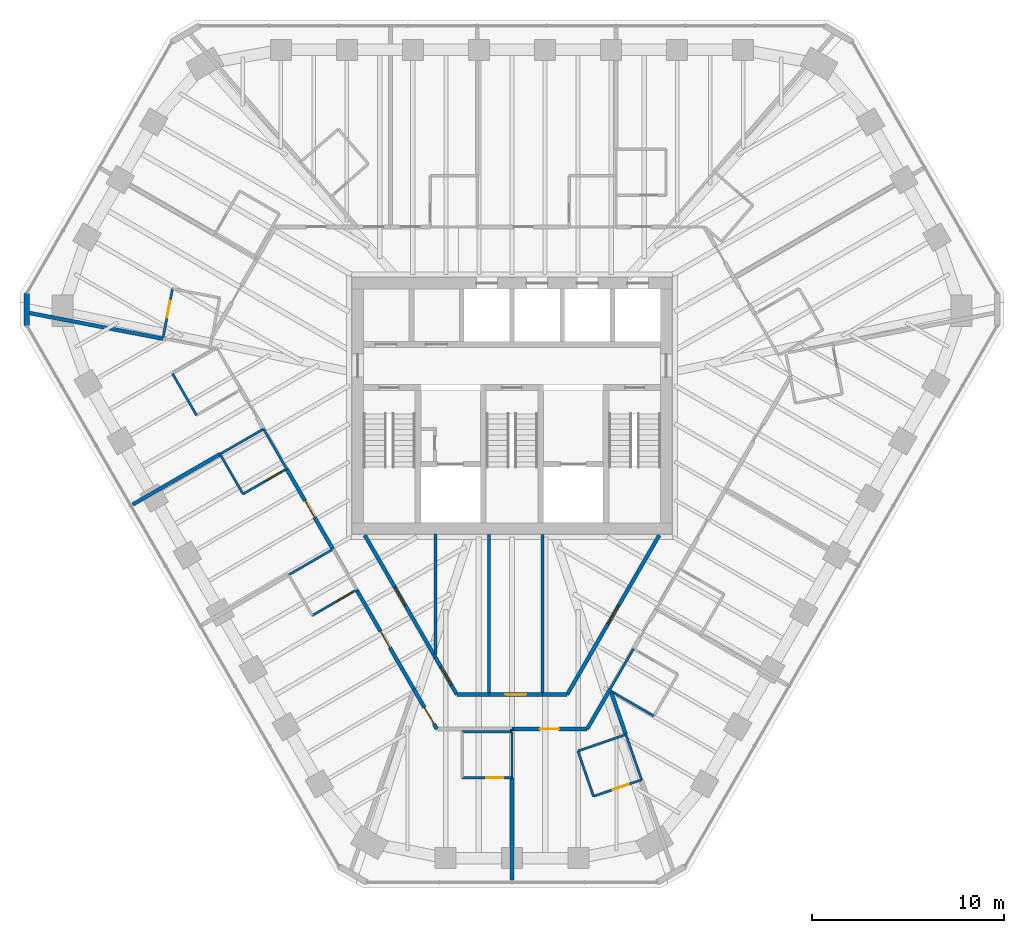
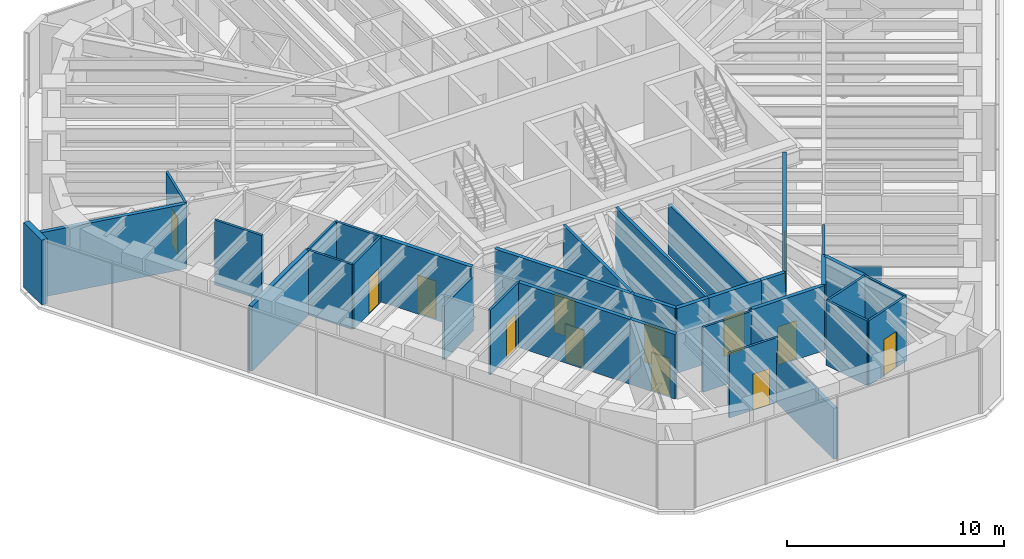
# One storey, part 9 of 14: 37 walls, 13 doors, 13 openings.
"""IFC4 building model written with IfcOpenShell, lengths in metres."""

from ifc_helpers import new_model, si_unit, direction, frame, frame_2d, origin, place, context, subcontext, project, spatial, rectangle, extrude, material, layer, layer_set, type_object, element, fill, save


model = new_model("IFC4")

# Units and contexts
model_context = context("Model", 3, precision=1e-05, world=origin(), true_north=direction((0.0, 1.0)))
body_context = subcontext(model_context, "Body", "Model", "MODEL_VIEW")
ifc_project = project(units=[si_unit("LENGTHUNIT", "METRE"), si_unit("AREAUNIT", "SQUARE_METRE"), si_unit("VOLUMEUNIT", "CUBIC_METRE"), si_unit("PLANEANGLEUNIT", "RADIAN"), si_unit("MASSUNIT", "GRAM", prefix="KILO")], contexts=[model_context])

# Site, building, storey
site_placement = place(None, origin())
site = spatial("IfcSite", under=ifc_project, at=site_placement, CompositionType="ELEMENT")
building_placement = place(site_placement, origin())
building = spatial("IfcBuilding", under=site, at=building_placement, Name="Sandreach Pilgrim Tower", CompositionType="ELEMENT")
storey_placement = place(building_placement, frame((0.0, 0.0, 283.60009765625)))
storey = spatial("IfcBuildingStorey", under=building, at=storey_placement, Name="L71", CompositionType="ELEMENT", Elevation=283.60009765625)

# Walls
ifc_material_1 = material(Name="Gypsum board on steel studs", Category="steel")
ifc_layer_1 = layer(ifc_material_1, 0.14990234375)
ifc_layer_set_1 = layer_set([ifc_layer_1], Name="Back of house wall 150")
wall_type_1 = type_object("IfcWallType", Name="Back of house wall 150", PredefinedType="PARTITIONING", material=ifc_layer_set_1)
wall_1_placement = place(storey_placement, frame((-4.0, -6.699951171875, 0.0), z_axis=(0.0, 0.0, 1.0), x_axis=(0.0, -1.0, 0.0)))
element("IfcWall", 1, at=wall_1_placement, inside=storey, type_object=wall_type_1, Name="Back of house wall L71-049", PredefinedType="PARTITIONING", context=body_context, shape_type="SweptSolid", body=[
    extrude(rectangle(XDim=6.26513671875, YDim=0.14990234375, at=frame_2d((3.132568359375, 0.0))), origin(), (0.0, 0.0, 1.0), 3.639892578125),
])
wall_2_placement = place(storey_placement, frame((-1.199951171875, -6.699951171875, 0.0), z_axis=(0.0, 0.0, 1.0), x_axis=(0.0, -1.0, 0.0)))
element("IfcWall", 2, at=wall_2_placement, inside=storey, type_object=wall_type_1, Name="Back of house wall L71-058", PredefinedType="PARTITIONING", context=body_context, shape_type="SweptSolid", body=[
    extrude(rectangle(XDim=8.360107421875, YDim=0.14990234375, at=frame_2d((4.18017578125, 0.0))), origin(), (0.0, 0.0, 1.0), 3.639892578125),
])
wall_3_placement = place(storey_placement, frame((1.60009765625, -6.699951171875, 0.0), z_axis=(0.0, 0.0, 1.0), x_axis=(0.0, -1.0, 0.0)))
element("IfcWall", 3, at=wall_3_placement, inside=storey, type_object=wall_type_1, Name="Back of house wall L71-065", PredefinedType="PARTITIONING", context=body_context, shape_type="SweptSolid", body=[
    extrude(rectangle(XDim=8.360107421875, YDim=0.14990234375, at=frame_2d((4.18017578125, 0.0))), origin(), (0.0, 0.0, 1.0), 2.860107421875),
])
ifc_material_2 = material(Name="Moisture-resistant gypsum board on steel studs", Category="steel")
ifc_layer_2 = layer(ifc_material_2, 0.1201171875)
ifc_layer_set_2 = layer_set([ifc_layer_2], Name="Bathroom partition 120")
wall_type_2 = type_object("IfcWallType", Name="Bathroom partition 120", PredefinedType="PARTITIONING", material=ifc_layer_set_2)
wall_4_placement = place(storey_placement, frame((-17.7099609375, 1.679931640625, 0.0), z_axis=(0.0, 0.0, 1.0), x_axis=(0.499159685399, -0.866510016372, 0.0)))
element("IfcWall", 4, at=wall_4_placement, inside=storey, type_object=wall_type_2, Name="Bathroom partition L71-005", PredefinedType="PARTITIONING", context=body_context, shape_type="SweptSolid", body=[
    extrude(rectangle(XDim=2.504150390625, YDim=0.1201171875, at=frame_2d((1.251953125, 0.0))), origin(), (0.0, 0.0, 1.0), 3.639892578125),
])

# Wall, opening, door
wall_5_placement = place(storey_placement, frame((-17.7099609375, 6.110107421875, 0.0), z_axis=(0.0, 0.0, 1.0), x_axis=(-0.188840553732, -0.982007762325, 0.0)))
wall_5 = element("IfcWall", 5, at=wall_5_placement, inside=storey, type_object=wall_type_2, Name="Bathroom partition L71-006", PredefinedType="PARTITIONING", context=body_context, shape_type="SweptSolid", body=[
    extrude(rectangle(XDim=2.647705078125, YDim=0.1201171875, at=frame_2d((1.32373046875, 0.0))), origin(), (0.0, 0.0, 1.0), 3.639892578125),
])
opening_1_placement = place(wall_5_placement, frame((0.64990234375, 0.0, 0.0)))
opening_1 = element("IfcOpeningElement", 6, at=opening_1_placement, cuts=wall_5, Name="Opening D09-15B", PredefinedType="OPENING", context=body_context, shape_type="SweptSolid", body=[
    extrude(rectangle(XDim=0.89990234375, YDim=2.030029296875, at=frame_2d((0.449951171875, 1.01513671875))), frame((0.0, 0.06005859375, 0.0), z_axis=(0.0, -1.0, 0.0), x_axis=(1.0, 0.0, 0.0)), (0.0, 0.0, 1.0), 0.1201171875),
])
ifc_material_3 = material(Name="Timber door, steel frame", Category="steel")
door_type_1 = type_object("IfcDoorType", Name="Bathroom door", OperationType="SINGLE_SWING_LEFT", PredefinedType="DOOR", material=ifc_material_3)
door_1_placement = place(opening_1_placement, origin())
door_1 = element("IfcDoor", 7, at=door_1_placement, inside=storey, type_object=door_type_1, Name="Door 7115B", OperationType="SINGLE_SWING_LEFT", OverallHeight=2.030029296875, OverallWidth=0.89990234375, PredefinedType="DOOR", context=body_context, shape_type="SweptSolid", body=[
    extrude(rectangle(XDim=0.89990234375, YDim=2.030029296875, at=frame_2d((0.449951171875, 1.01513671875))), frame((0.0, 0.02490234375, 0.0), z_axis=(0.0, -1.0, 0.0), x_axis=(1.0, 0.0, 0.0)), (0.0, 0.0, 1.0), 0.050048828125),
])
fill(opening_1, door_1)

# Walls
wall_6_placement = place(storey_placement, frame((-15.22998046875, -2.52001953125, 0.0), z_axis=(0.0, 0.0, 1.0), x_axis=(0.499737123639, -0.866177122335, 0.0)))
element("IfcWall", 8, at=wall_6_placement, inside=storey, type_object=wall_type_2, Name="Bathroom partition L71-019", PredefinedType="PARTITIONING", context=body_context, shape_type="SweptSolid", body=[
    extrude(rectangle(XDim=2.401123046875, YDim=0.1201171875, at=frame_2d((1.20068359375, 0.0))), origin(), (0.0, 0.0, 1.0), 3.639892578125),
])
wall_7_placement = place(storey_placement, frame((-15.22998046875, -2.52001953125, 0.0), z_axis=(0.0, 0.0, 1.0), x_axis=(0.866114241029, 0.499846097802, 0.0)))
element("IfcWall", 9, at=wall_7_placement, inside=storey, type_object=wall_type_2, Name="Bathroom partition L71-020", PredefinedType="PARTITIONING", context=body_context, shape_type="SweptSolid", body=[
    extrude(rectangle(XDim=2.620849609375, YDim=0.1201171875, at=frame_2d((1.310546875, 0.0))), origin(), (0.0, 0.0, 1.0), 3.639892578125),
])

# Wall, opening, door
wall_8_placement = place(storey_placement, frame((-14.030029296875, -4.60009765625, 0.0), z_axis=(0.0, 0.0, 1.0), x_axis=(0.866114241029, 0.499846097802, 0.0)))
wall_8 = element("IfcWall", 10, at=wall_8_placement, inside=storey, type_object=wall_type_2, Name="Bathroom partition L71-023", PredefinedType="PARTITIONING", context=body_context, shape_type="SweptSolid", body=[
    extrude(rectangle(XDim=2.620849609375, YDim=0.1201171875, at=frame_2d((1.310546875, 0.0))), origin(), (0.0, 0.0, 1.0), 3.639892578125),
])
opening_2_placement = place(wall_8_placement, frame((1.4208984375, 0.0, 0.0)))
opening_2 = element("IfcOpeningElement", 11, at=opening_2_placement, cuts=wall_8, Name="Opening D09-13B", PredefinedType="OPENING", context=body_context, shape_type="SweptSolid", body=[
    extrude(rectangle(XDim=0.89990234375, YDim=2.030029296875, at=frame_2d((0.449951171875, 1.01513671875))), frame((0.0, 0.06005859375, 0.0), z_axis=(0.0, -1.0, 0.0), x_axis=(1.0, 0.0, 0.0)), (0.0, 0.0, 1.0), 0.1201171875),
])
door_2_placement = place(opening_2_placement, origin())
door_2 = element("IfcDoor", 12, at=door_2_placement, inside=storey, type_object=door_type_1, Name="Door 7113B", OperationType="SINGLE_SWING_RIGHT", OverallHeight=2.030029296875, OverallWidth=0.89990234375, PredefinedType="DOOR", context=body_context, shape_type="SweptSolid", body=[
    extrude(rectangle(XDim=0.89990234375, YDim=2.030029296875, at=frame_2d((0.449951171875, 1.01513671875))), frame((0.0, 0.02490234375, 0.0), z_axis=(0.0, -1.0, 0.0), x_axis=(1.0, 0.0, 0.0)), (0.0, 0.0, 1.0), 0.050048828125),
])
fill(opening_2, door_2)

# Walls
wall_9_placement = place(storey_placement, frame((-12.9599609375, -1.2099609375, 0.0), z_axis=(0.0, 0.0, 1.0), x_axis=(0.499693115345, -0.866202511239, 0.0)))
element("IfcWall", 13, at=wall_9_placement, inside=storey, type_object=wall_type_2, Name="Bathroom partition L71-027", PredefinedType="PARTITIONING", context=body_context, shape_type="SweptSolid", body=[
    extrude(rectangle(XDim=2.4013671875, YDim=0.1201171875, at=frame_2d((1.20068359375, 0.0))), origin(), (0.0, 0.0, 1.0), 3.639892578125),
])
wall_10_placement = place(storey_placement, frame((-11.64990234375, -8.820068359375, 0.0), z_axis=(0.0, 0.0, 1.0), x_axis=(0.864966903181, 0.501828911485, 0.0)))
element("IfcWall", 14, at=wall_10_placement, inside=storey, type_object=wall_type_2, Name="Bathroom partition L71-031", PredefinedType="PARTITIONING", context=body_context, shape_type="SweptSolid", body=[
    extrude(rectangle(XDim=2.67041015625, YDim=0.1201171875, at=frame_2d((1.335205078125, 0.0))), origin(), (0.0, 0.0, 1.0), 3.037841796875),
])

# Wall, opening, door
wall_11_placement = place(storey_placement, frame((-10.419921875, -10.93994140625, 0.0), z_axis=(0.0, 0.0, 1.0), x_axis=(0.865006586495, 0.501760505939, 0.0)))
wall_11 = element("IfcWall", 15, at=wall_11_placement, inside=storey, type_object=wall_type_2, Name="Bathroom partition L71-033", PredefinedType="PARTITIONING", context=body_context, shape_type="SweptSolid", body=[
    extrude(rectangle(XDim=2.670166015625, YDim=0.1201171875, at=frame_2d((1.3349609375, 0.0))), origin(), (0.0, 0.0, 1.0), 3.639892578125),
])
opening_3_placement = place(wall_11_placement, frame((1.470458984375, 0.0, 0.0)))
opening_3 = element("IfcOpeningElement", 16, at=opening_3_placement, cuts=wall_11, Name="Opening D09-12B", PredefinedType="OPENING", context=body_context, shape_type="SweptSolid", body=[
    extrude(rectangle(XDim=0.89990234375, YDim=2.030029296875, at=frame_2d((0.449951171875, 1.01513671875))), frame((0.0, 0.06005859375, 0.0), z_axis=(0.0, -1.0, 0.0), x_axis=(1.0, 0.0, 0.0)), (0.0, 0.0, 1.0), 0.1201171875),
])
door_3_placement = place(opening_3_placement, origin())
door_3 = element("IfcDoor", 17, at=door_3_placement, inside=storey, type_object=door_type_1, Name="Door 7112B", OperationType="SINGLE_SWING_RIGHT", OverallHeight=2.030029296875, OverallWidth=0.89990234375, PredefinedType="DOOR", context=body_context, shape_type="SweptSolid", body=[
    extrude(rectangle(XDim=0.89990234375, YDim=2.030029296875, at=frame_2d((0.449951171875, 1.01513671875))), frame((0.0, 0.02490234375, 0.0), z_axis=(0.0, -1.0, 0.0), x_axis=(1.0, 0.0, 0.0)), (0.0, 0.0, 1.0), 0.050048828125),
])
fill(opening_3, door_3)

wall_12_placement = place(storey_placement, frame((-2.60009765625, -19.409912109375, 0.0), z_axis=(0.0, 0.0, 1.0), x_axis=(1.0, 0.0, 0.0)))
wall_12 = element("IfcWall", 18, at=wall_12_placement, inside=storey, type_object=wall_type_2, Name="Bathroom partition L71-052", PredefinedType="PARTITIONING", context=body_context, shape_type="SweptSolid", body=[
    extrude(rectangle(XDim=2.60009765625, YDim=0.1201171875, at=frame_2d((1.300048828125, 0.0))), origin(), (0.0, 0.0, 1.0), 3.639892578125),
])
opening_4_placement = place(wall_12_placement, frame((1.25, 0.0, 0.0)))
opening_4 = element("IfcOpeningElement", 19, at=opening_4_placement, cuts=wall_12, Name="Opening D09-11B", PredefinedType="OPENING", context=body_context, shape_type="SweptSolid", body=[
    extrude(rectangle(XDim=0.89990234375, YDim=2.030029296875, at=frame_2d((0.449951171875, 1.01513671875))), frame((0.0, 0.06005859375, 0.0), z_axis=(0.0, -1.0, 0.0), x_axis=(1.0, 0.0, 0.0)), (0.0, 0.0, 1.0), 0.1201171875),
])
door_4_placement = place(opening_4_placement, origin())
door_4 = element("IfcDoor", 20, at=door_4_placement, inside=storey, type_object=door_type_1, Name="Door 7111B", OperationType="SINGLE_SWING_RIGHT", OverallHeight=2.030029296875, OverallWidth=0.89990234375, PredefinedType="DOOR", context=body_context, shape_type="SweptSolid", body=[
    extrude(rectangle(XDim=0.89990234375, YDim=2.030029296875, at=frame_2d((0.449951171875, 1.01513671875))), frame((0.0, 0.02490234375, 0.0), z_axis=(0.0, -1.0, 0.0), x_axis=(1.0, 0.0, 0.0)), (0.0, 0.0, 1.0), 0.050048828125),
])
fill(opening_4, door_4)

# Walls
wall_13_placement = place(storey_placement, frame((0.0, -19.409912109375, 0.0), z_axis=(0.0, 0.0, 1.0), x_axis=(0.0, 1.0, 0.0)))
element("IfcWall", 21, at=wall_13_placement, inside=storey, type_object=wall_type_2, Name="Bathroom partition L71-060", PredefinedType="PARTITIONING", context=body_context, shape_type="SweptSolid", body=[
    extrude(rectangle(XDim=2.39990234375, YDim=0.1201171875, at=frame_2d((1.199951171875, 0.0))), origin(), (0.0, 0.0, 1.0), 2.860107421875),
])
wall_14_placement = place(storey_placement, frame((0.0, -17.010009765625, 0.0), z_axis=(0.0, 0.0, 1.0), x_axis=(-1.0, 0.0, 0.0)))
element("IfcWall", 22, at=wall_14_placement, inside=storey, type_object=wall_type_2, Name="Bathroom partition L71-061", PredefinedType="PARTITIONING", context=body_context, shape_type="SweptSolid", body=[
    extrude(rectangle(XDim=2.60009765625, YDim=0.1201171875, at=frame_2d((1.300048828125, 0.0))), origin(), (0.0, 0.0, 1.0), 3.639892578125),
])
wall_15_placement = place(storey_placement, frame((3.43994140625, -18.010009765625, 0.0), z_axis=(0.0, 0.0, 1.0), x_axis=(0.324669532971, -0.945827518293, 0.0)))
element("IfcWall", 23, at=wall_15_placement, inside=storey, type_object=wall_type_2, Name="Bathroom partition L71-069", PredefinedType="PARTITIONING", context=body_context, shape_type="SweptSolid", body=[
    extrude(rectangle(XDim=2.4951171875, YDim=0.1201171875, at=frame_2d((1.24755859375, 0.0))), origin(), (0.0, 0.0, 1.0), 3.639892578125),
])

# Wall, opening, door
wall_16_placement = place(storey_placement, frame((4.25, -20.3701171875, 0.0), z_axis=(0.0, 0.0, 1.0), x_axis=(0.945999971947, 0.324166705687, 0.0)))
wall_16 = element("IfcWall", 24, at=wall_16_placement, inside=storey, type_object=wall_type_2, Name="Bathroom partition L71-071", PredefinedType="PARTITIONING", context=body_context, shape_type="SweptSolid", body=[
    extrude(rectangle(XDim=2.6533203125, YDim=0.1201171875, at=frame_2d((1.32666015625, 0.0))), origin(), (0.0, 0.0, 1.0), 3.639892578125),
])
opening_5_placement = place(wall_16_placement, frame((1.050048828125, 0.0, 0.0)))
opening_5 = element("IfcOpeningElement", 25, at=opening_5_placement, cuts=wall_16, Name="Opening D09-10B", PredefinedType="OPENING", context=body_context, shape_type="SweptSolid", body=[
    extrude(rectangle(XDim=0.89990234375, YDim=2.030029296875, at=frame_2d((0.449951171875, 1.01513671875))), frame((0.0, 0.06005859375, 0.0), z_axis=(0.0, -1.0, 0.0), x_axis=(1.0, 0.0, 0.0)), (0.0, 0.0, 1.0), 0.1201171875),
])
door_5_placement = place(opening_5_placement, origin())
door_5 = element("IfcDoor", 26, at=door_5_placement, inside=storey, type_object=door_type_1, Name="Door 7110B", OperationType="SINGLE_SWING_RIGHT", OverallHeight=2.030029296875, OverallWidth=0.89990234375, PredefinedType="DOOR", context=body_context, shape_type="SweptSolid", body=[
    extrude(rectangle(XDim=0.89990234375, YDim=2.030029296875, at=frame_2d((0.449951171875, 1.01513671875))), frame((0.0, 0.02490234375, 0.0), z_axis=(0.0, -1.0, 0.0), x_axis=(1.0, 0.0, 0.0)), (0.0, 0.0, 1.0), 0.050048828125),
])
fill(opening_5, door_5)

# Walls
wall_17_placement = place(storey_placement, frame((5.1201171875, -14.780029296875, 0.0), z_axis=(0.0, 0.0, 1.0), x_axis=(0.502307685327, 0.86468895521, 0.0)))
element("IfcWall", 27, at=wall_17_placement, inside=storey, type_object=wall_type_2, Name="Bathroom partition L71-072", PredefinedType="PARTITIONING", context=body_context, shape_type="SweptSolid", body=[
    extrude(rectangle(XDim=2.4287109375, YDim=0.1201171875, at=frame_2d((1.21435546875, 0.0))), origin(), (0.0, 0.0, 1.0), 3.639892578125),
])
wall_18_placement = place(storey_placement, frame((5.250732421875, -14.9326171875, 0.0), z_axis=(0.0, 0.0, 1.0), x_axis=(0.864892147873, -0.501957739803, 0.0)))
element("IfcWall", 28, at=wall_18_placement, inside=storey, type_object=wall_type_2, Name="Bathroom partition L71-073", PredefinedType="PARTITIONING", context=body_context, shape_type="SweptSolid", body=[
    extrude(rectangle(XDim=2.48486328125, YDim=0.1201171875, at=frame_2d((1.242431640625, 0.0))), origin(), (0.0, 0.0, 1.0), 3.037841796875),
])
wall_19_placement = place(storey_placement, frame((5.93994140625, -17.14990234375, 0.0), z_axis=(0.0, 0.0, 1.0), x_axis=(-0.945601400786, -0.32532751318, 0.0)))
element("IfcWall", 29, at=wall_19_placement, inside=storey, type_object=wall_type_2, Name="Bathroom partition L71-081", PredefinedType="PARTITIONING", context=body_context, shape_type="SweptSolid", body=[
    extrude(rectangle(XDim=2.643798828125, YDim=0.1201171875, at=frame_2d((1.32177734375, 0.0))), origin(), (0.0, 0.0, 1.0), 3.639892578125),
])
wall_20_placement = place(storey_placement, frame((5.93994140625, -17.14990234375, 0.0), z_axis=(0.0, 0.0, 1.0), x_axis=(0.32822120494, -0.944600889597, 0.0)))
element("IfcWall", 30, at=wall_20_placement, inside=storey, type_object=wall_type_2, Name="Bathroom partition L71-083", PredefinedType="PARTITIONING", context=body_context, shape_type="SweptSolid", body=[
    extrude(rectangle(XDim=2.49853515625, YDim=0.1201171875, at=frame_2d((1.249267578125, 0.0))), origin(), (0.0, 0.0, 1.0), 3.639892578125),
])

# Wall, opening, door
ifc_material_4 = material(Name="Gypsum board on steel studs, two layers each side", Category="steel")
ifc_layer_3 = layer(ifc_material_4, 0.199951171875)
ifc_layer_set_3 = layer_set([ifc_layer_3], Name="Corridor wall 200")
wall_type_3 = type_object("IfcWallType", Name="Corridor wall 200", PredefinedType="PARTITIONING", material=ifc_layer_set_3)
wall_21_placement = place(storey_placement, frame((-11.760009765625, -3.2900390625, 0.0), z_axis=(0.0, 0.0, 1.0), x_axis=(0.500133000121, -0.86594860251, 0.0)))
wall_21 = element("IfcWall", 31, at=wall_21_placement, inside=storey, type_object=wall_type_3, Name="Corridor wall L71-029", PredefinedType="PARTITIONING", context=body_context, shape_type="SweptSolid", body=[
    extrude(rectangle(XDim=4.838623046875, YDim=0.199951171875, at=frame_2d((2.41943359375, 0.0))), origin(), (0.0, 0.0, 1.0), 3.639892578125),
])
opening_6_placement = place(wall_21_placement, frame((1.919189453125, 0.0, 0.0)))
opening_6 = element("IfcOpeningElement", 32, at=opening_6_placement, cuts=wall_21, Name="Opening D10-13", PredefinedType="OPENING", context=body_context, shape_type="SweptSolid", body=[
    extrude(rectangle(XDim=1.0, YDim=2.1298828125, at=frame_2d((0.5, 1.06494140625))), frame((0.0, 0.10009765625, 0.0), z_axis=(0.0, -1.0, 0.0), x_axis=(1.0, 0.0, 0.0)), (0.0, 0.0, 1.0), 0.199951171875),
])
ifc_material_5 = material(Name="Steel door and frame", Category="steel")
door_type_2 = type_object("IfcDoorType", Name="Guest room entry door", OperationType="SINGLE_SWING_LEFT", PredefinedType="DOOR", material=ifc_material_5)
door_6_placement = place(opening_6_placement, origin())
door_6 = element("IfcDoor", 33, at=door_6_placement, inside=storey, type_object=door_type_2, Name="Door 7113", OperationType="SINGLE_SWING_LEFT", OverallHeight=2.1298828125, OverallWidth=1.0, PredefinedType="DOOR", context=body_context, shape_type="SweptSolid", body=[
    extrude(rectangle(XDim=1.0, YDim=2.1298828125, at=frame_2d((0.5, 1.06494140625))), frame((0.0, 0.02490234375, 0.0), z_axis=(0.0, -1.0, 0.0), x_axis=(1.0, 0.0, 0.0)), (0.0, 0.0, 1.0), 0.050048828125),
])
fill(opening_6, door_6)

wall_22_placement = place(storey_placement, frame((-8.110107421875, -9.60009765625, 0.0), z_axis=(0.0, 0.0, 1.0), x_axis=(0.49991915452, -0.866072074913, 0.0)))
wall_22 = element("IfcWall", 34, at=wall_22_placement, inside=storey, type_object=wall_type_3, Name="Corridor wall L71-039", PredefinedType="PARTITIONING", context=body_context, shape_type="SweptSolid", body=[
    extrude(rectangle(XDim=5.98095703125, YDim=0.199951171875, at=frame_2d((2.990478515625, 0.0))), origin(), (0.0, 0.0, 1.0), 3.639892578125),
])
opening_7_placement = place(wall_22_placement, frame((2.490478515625, 0.0, 0.0)))
opening_7 = element("IfcOpeningElement", 35, at=opening_7_placement, cuts=wall_22, Name="Opening D10-12", PredefinedType="OPENING", context=body_context, shape_type="SweptSolid", body=[
    extrude(rectangle(XDim=1.0, YDim=2.1298828125, at=frame_2d((0.5, 1.06494140625))), frame((0.0, 0.10009765625, 0.0), z_axis=(0.0, -1.0, 0.0), x_axis=(1.0, 0.0, 0.0)), (0.0, 0.0, 1.0), 0.199951171875),
])
door_7_placement = place(opening_7_placement, origin())
door_7 = element("IfcDoor", 36, at=door_7_placement, inside=storey, type_object=door_type_2, Name="Door 7112", OperationType="SINGLE_SWING_LEFT", OverallHeight=2.1298828125, OverallWidth=1.0, PredefinedType="DOOR", context=body_context, shape_type="SweptSolid", body=[
    extrude(rectangle(XDim=1.0, YDim=2.1298828125, at=frame_2d((0.5, 1.06494140625))), frame((0.0, 0.02490234375, 0.0), z_axis=(0.0, -1.0, 0.0), x_axis=(1.0, 0.0, 0.0)), (0.0, 0.0, 1.0), 0.050048828125),
])
fill(opening_7, door_7)

wall_23_placement = place(storey_placement, frame((-5.1201171875, -14.780029296875, 0.0), z_axis=(0.0, 0.0, 1.0), x_axis=(0.499813401482, -0.866133109688, 0.0)))
wall_23 = element("IfcWall", 37, at=wall_23_placement, inside=storey, type_object=wall_type_3, Name="Corridor wall L71-044", PredefinedType="PARTITIONING", context=body_context, shape_type="SweptSolid", body=[
    extrude(rectangle(XDim=2.4013671875, YDim=0.199951171875, at=frame_2d((1.20068359375, 0.0))), origin(), (0.0, 0.0, 1.0), 3.639892578125),
])
opening_8_placement = place(wall_23_placement, frame((1.10009765625, 0.0, 0.0)))
opening_8 = element("IfcOpeningElement", 38, at=opening_8_placement, cuts=wall_23, Name="Opening D10-11", PredefinedType="OPENING", context=body_context, shape_type="SweptSolid", body=[
    extrude(rectangle(XDim=1.0, YDim=2.1298828125, at=frame_2d((0.5, 1.06494140625))), frame((0.0, 0.10009765625, 0.0), z_axis=(0.0, -1.0, 0.0), x_axis=(1.0, 0.0, 0.0)), (0.0, 0.0, 1.0), 0.199951171875),
])
door_8_placement = place(opening_8_placement, origin())
door_8 = element("IfcDoor", 39, at=door_8_placement, inside=storey, type_object=door_type_2, Name="Door 7111", OperationType="SINGLE_SWING_RIGHT", OverallHeight=2.1298828125, OverallWidth=1.0, PredefinedType="DOOR", context=body_context, shape_type="SweptSolid", body=[
    extrude(rectangle(XDim=1.0, YDim=2.1298828125, at=frame_2d((0.5, 1.06494140625))), frame((0.0, 0.02490234375, 0.0), z_axis=(0.0, -1.0, 0.0), x_axis=(1.0, 0.0, 0.0)), (0.0, 0.0, 1.0), 0.050048828125),
])
fill(opening_8, door_8)

wall_24_placement = place(storey_placement, frame((-4.0, -13.1201171875, 0.0), z_axis=(0.0, 0.0, 1.0), x_axis=(-0.500218436225, 0.865899252835, 0.0)))
wall_24 = element("IfcWall", 40, at=wall_24_placement, inside=storey, type_object=wall_type_3, Name="Corridor wall L71-048", PredefinedType="PARTITIONING", context=body_context, shape_type="SweptSolid", body=[
    extrude(rectangle(XDim=7.356689453125, YDim=0.199951171875, at=frame_2d((3.67822265625, 0.0))), origin(), (0.0, 0.0, 1.0), 3.639892578125),
])
opening_9_placement = place(wall_24_placement, frame((3.12841796875, 0.0, 0.0)))
opening_9 = element("IfcOpeningElement", 41, at=opening_9_placement, cuts=wall_24, Name="Opening D11H-S1", PredefinedType="OPENING", context=body_context, shape_type="SweptSolid", body=[
    extrude(rectangle(XDim=1.10009765625, YDim=2.199951171875, at=frame_2d((0.550048828125, 1.10009765625))), frame((0.0, 0.10009765625, 0.0), z_axis=(0.0, -1.0, 0.0), x_axis=(1.0, 0.0, 0.0)), (0.0, 0.0, 1.0), 0.199951171875),
])
ifc_material_6 = material(Name="Steel door and frame", Category="steel")
door_type_3 = type_object("IfcDoorType", Name="Back of house door", OperationType="SINGLE_SWING_LEFT", PredefinedType="DOOR", material=ifc_material_6)
door_9_placement = place(opening_9_placement, origin())
door_9 = element("IfcDoor", 42, at=door_9_placement, inside=storey, type_object=door_type_3, Name="Door 71S1", OperationType="SINGLE_SWING_LEFT", OverallHeight=2.199951171875, OverallWidth=1.10009765625, PredefinedType="DOOR", context=body_context, shape_type="SweptSolid", body=[
    extrude(rectangle(XDim=1.10009765625, YDim=2.199951171875, at=frame_2d((0.550048828125, 1.10009765625))), frame((0.0, 0.02490234375, 0.0), z_axis=(0.0, -1.0, 0.0), x_axis=(1.0, 0.0, 0.0)), (0.0, 0.0, 1.0), 0.050048828125),
])
fill(opening_9, door_9)

wall_25_placement = place(storey_placement, frame((-2.8798828125, -15.06005859375, 0.0), z_axis=(0.0, 0.0, 1.0), x_axis=(-0.499983441833, 0.866034963436, 0.0)))
wall_25 = element("IfcWall", 43, at=wall_25_placement, inside=storey, type_object=wall_type_3, Name="Corridor wall L71-051", PredefinedType="PARTITIONING", context=body_context, shape_type="SweptSolid", body=[
    extrude(rectangle(XDim=2.240234375, YDim=0.199951171875, at=frame_2d((1.1201171875, 0.0))), origin(), (0.0, 0.0, 1.0), 3.639892578125),
])
opening_10_placement = place(wall_25_placement, frame((0.570068359375, 0.0, 0.0)))
opening_10 = element("IfcOpeningElement", 44, at=opening_10_placement, cuts=wall_25, Name="Opening D11H-S2", PredefinedType="OPENING", context=body_context, shape_type="SweptSolid", body=[
    extrude(rectangle(XDim=1.10009765625, YDim=2.199951171875, at=frame_2d((0.550048828125, 1.10009765625))), frame((0.0, 0.10009765625, 0.0), z_axis=(0.0, -1.0, 0.0), x_axis=(1.0, 0.0, 0.0)), (0.0, 0.0, 1.0), 0.199951171875),
])
door_10_placement = place(opening_10_placement, origin())
door_10 = element("IfcDoor", 45, at=door_10_placement, inside=storey, type_object=door_type_3, Name="Door 71S2", OperationType="SINGLE_SWING_LEFT", OverallHeight=2.199951171875, OverallWidth=1.10009765625, PredefinedType="DOOR", context=body_context, shape_type="SweptSolid", body=[
    extrude(rectangle(XDim=1.10009765625, YDim=2.199951171875, at=frame_2d((0.550048828125, 1.10009765625))), frame((0.0, 0.02490234375, 0.0), z_axis=(0.0, -1.0, 0.0), x_axis=(1.0, 0.0, 0.0)), (0.0, 0.0, 1.0), 0.050048828125),
])
fill(opening_10, door_10)

# Wall
wall_26_placement = place(storey_placement, frame((-1.199951171875, -15.06005859375, 0.0), z_axis=(0.0, 0.0, 1.0), x_axis=(-1.0, 0.0, 0.0)))
element("IfcWall", 46, at=wall_26_placement, inside=storey, type_object=wall_type_3, Name="Corridor wall L71-057", PredefinedType="PARTITIONING", context=body_context, shape_type="SweptSolid", body=[
    extrude(rectangle(XDim=1.679931640625, YDim=0.199951171875, at=frame_2d((0.83984375, 0.0))), origin(), (0.0, 0.0, 1.0), 3.639892578125),
])

# Wall, opening, door
wall_27_placement = place(storey_placement, frame((0.0, -16.860107421875, 0.0), z_axis=(0.0, 0.0, 1.0), x_axis=(1.0, 0.0, 0.0)))
wall_27 = element("IfcWall", 47, at=wall_27_placement, inside=storey, type_object=wall_type_3, Name="Corridor wall L71-063", PredefinedType="PARTITIONING", context=body_context, shape_type="SweptSolid", body=[
    extrude(rectangle(XDim=3.919921875, YDim=0.199951171875, at=frame_2d((1.9599609375, 0.0))), origin(), (0.0, 0.0, 1.0), 3.639892578125),
])
opening_11_placement = place(wall_27_placement, frame((1.4599609375, 0.0, 0.0)))
opening_11 = element("IfcOpeningElement", 48, at=opening_11_placement, cuts=wall_27, Name="Opening D10-10", PredefinedType="OPENING", context=body_context, shape_type="SweptSolid", body=[
    extrude(rectangle(XDim=1.0, YDim=2.1298828125, at=frame_2d((0.5, 1.06494140625))), frame((0.0, 0.10009765625, 0.0), z_axis=(0.0, -1.0, 0.0), x_axis=(1.0, 0.0, 0.0)), (0.0, 0.0, 1.0), 0.199951171875),
])
door_11_placement = place(opening_11_placement, origin())
door_11 = element("IfcDoor", 49, at=door_11_placement, inside=storey, type_object=door_type_2, Name="Door 7110", OperationType="SINGLE_SWING_LEFT", OverallHeight=2.1298828125, OverallWidth=1.0, PredefinedType="DOOR", context=body_context, shape_type="SweptSolid", body=[
    extrude(rectangle(XDim=1.0, YDim=2.1298828125, at=frame_2d((0.5, 1.06494140625))), frame((0.0, 0.02490234375, 0.0), z_axis=(0.0, -1.0, 0.0), x_axis=(1.0, 0.0, 0.0)), (0.0, 0.0, 1.0), 0.050048828125),
])
fill(opening_11, door_11)

wall_28_placement = place(storey_placement, frame((1.60009765625, -15.06005859375, 0.0), z_axis=(0.0, 0.0, 1.0), x_axis=(-1.0, 0.0, 0.0)))
wall_28 = element("IfcWall", 50, at=wall_28_placement, inside=storey, type_object=wall_type_3, Name="Corridor wall L71-064", PredefinedType="PARTITIONING", context=body_context, shape_type="SweptSolid", body=[
    extrude(rectangle(XDim=2.800048828125, YDim=0.199951171875, at=frame_2d((1.39990234375, 0.0))), origin(), (0.0, 0.0, 1.0), 3.639892578125),
])
opening_12_placement = place(wall_28_placement, frame((0.85009765625, 0.0, 0.0)))
opening_12 = element("IfcOpeningElement", 51, at=opening_12_placement, cuts=wall_28, Name="Opening D11H-S3", PredefinedType="OPENING", context=body_context, shape_type="SweptSolid", body=[
    extrude(rectangle(XDim=1.10009765625, YDim=2.199951171875, at=frame_2d((0.550048828125, 1.10009765625))), frame((0.0, 0.10009765625, 0.0), z_axis=(0.0, -1.0, 0.0), x_axis=(1.0, 0.0, 0.0)), (0.0, 0.0, 1.0), 0.199951171875),
])
door_12_placement = place(opening_12_placement, origin())
door_12 = element("IfcDoor", 52, at=door_12_placement, inside=storey, type_object=door_type_3, Name="Door 71S3", OperationType="SINGLE_SWING_LEFT", OverallHeight=2.199951171875, OverallWidth=1.10009765625, PredefinedType="DOOR", context=body_context, shape_type="SweptSolid", body=[
    extrude(rectangle(XDim=1.10009765625, YDim=2.199951171875, at=frame_2d((0.550048828125, 1.10009765625))), frame((0.0, 0.02490234375, 0.0), z_axis=(0.0, -1.0, 0.0), x_axis=(1.0, 0.0, 0.0)), (0.0, 0.0, 1.0), 0.050048828125),
])
fill(opening_12, door_12)

# Walls
wall_29_placement = place(storey_placement, frame((2.8798828125, -15.06005859375, 0.0), z_axis=(0.0, 0.0, 1.0), x_axis=(-1.0, 0.0, 0.0)))
element("IfcWall", 53, at=wall_29_placement, inside=storey, type_object=wall_type_3, Name="Corridor wall L71-066", PredefinedType="PARTITIONING", context=body_context, shape_type="SweptSolid", body=[
    extrude(rectangle(XDim=1.27978515625, YDim=0.199951171875, at=frame_2d((0.639892578125, 0.0))), origin(), (0.0, 0.0, 1.0), 3.639892578125),
])
wall_30_placement = place(storey_placement, frame((3.919921875, -16.860107421875, 0.0), z_axis=(0.0, 0.0, 1.0), x_axis=(0.499693115345, 0.866202511239, 0.0)))
element("IfcWall", 54, at=wall_30_placement, inside=storey, type_object=wall_type_3, Name="Corridor wall L71-070", PredefinedType="PARTITIONING", context=body_context, shape_type="SweptSolid", body=[
    extrude(rectangle(XDim=2.4013671875, YDim=0.199951171875, at=frame_2d((1.20068359375, 0.0))), origin(), (0.0, 0.0, 1.0), 3.639892578125),
])

# Wall, opening, door
wall_31_placement = place(storey_placement, frame((7.679931640625, -6.75, 0.0), z_axis=(0.0, 0.0, 1.0), x_axis=(-0.500174600737, -0.865924574532, 0.0)))
wall_31 = element("IfcWall", 55, at=wall_31_placement, inside=storey, type_object=wall_type_3, Name="Corridor wall L71-089", PredefinedType="PARTITIONING", context=body_context, shape_type="SweptSolid", body=[
    extrude(rectangle(XDim=9.5966796875, YDim=0.199951171875, at=frame_2d((4.79833984375, 0.0))), origin(), (0.0, 0.0, 1.0), 3.639892578125),
])
opening_13_placement = place(wall_31_placement, frame((4.248291015625, 0.0, 0.0)))
opening_13 = element("IfcOpeningElement", 56, at=opening_13_placement, cuts=wall_31, Name="Opening D11H-S4", PredefinedType="OPENING", context=body_context, shape_type="SweptSolid", body=[
    extrude(rectangle(XDim=1.10009765625, YDim=2.199951171875, at=frame_2d((0.550048828125, 1.10009765625))), frame((0.0, 0.10009765625, 0.0), z_axis=(0.0, -1.0, 0.0), x_axis=(1.0, 0.0, 0.0)), (0.0, 0.0, 1.0), 0.199951171875),
])
door_13_placement = place(opening_13_placement, origin())
door_13 = element("IfcDoor", 57, at=door_13_placement, inside=storey, type_object=door_type_3, Name="Door 71S4", OperationType="SINGLE_SWING_LEFT", OverallHeight=2.199951171875, OverallWidth=1.10009765625, PredefinedType="DOOR", context=body_context, shape_type="SweptSolid", body=[
    extrude(rectangle(XDim=1.10009765625, YDim=2.199951171875, at=frame_2d((0.550048828125, 1.10009765625))), frame((0.0, 0.02490234375, 0.0), z_axis=(0.0, -1.0, 0.0), x_axis=(1.0, 0.0, 0.0)), (0.0, 0.0, 1.0), 0.050048828125),
])
fill(opening_13, door_13)

# Walls
ifc_material_7 = material(Name="Double steel stud acoustic wall, gypsum board", Category="steel")
ifc_layer_4 = layer(ifc_material_7, 0.199951171875)
ifc_layer_set_4 = layer_set([ifc_layer_4], Name="Party wall 200")
wall_type_4 = type_object("IfcWallType", Name="Party wall 200", PredefinedType="PARTITIONING", material=ifc_layer_set_4)
wall_32_placement = place(storey_placement, frame((-19.7861328125, -5.14990234375, 0.0), z_axis=(0.0, 0.0, 1.0), x_axis=(0.866075853571, 0.499912608224, 0.0)))
element("IfcWall", 58, at=wall_32_placement, inside=storey, type_object=wall_type_4, Name="Party wall L71-002", PredefinedType="PARTITIONING", context=body_context, shape_type="SweptSolid", body=[
    extrude(rectangle(XDim=5.2607421875, YDim=0.199951171875, at=frame_2d((2.63037109375, 0.0))), origin(), (0.0, 0.0, 1.0), 3.639892578125),
])
wall_33_placement = place(storey_placement, frame((-18.2099609375, 3.5, 0.0), z_axis=(0.0, 0.0, 1.0), x_axis=(-0.981929870864, 0.189245155035, 0.0)))
element("IfcWall", 59, at=wall_33_placement, inside=storey, type_object=wall_type_4, Name="Party wall L71-003", PredefinedType="PARTITIONING", context=body_context, shape_type="SweptSolid", body=[
    extrude(rectangle(XDim=7.26171875, YDim=0.199951171875, at=frame_2d((3.630859375, 0.0))), origin(), (0.0, 0.0, 1.0), 3.639892578125),
])
wall_34_placement = place(storey_placement, frame((0.0, -24.739990234375, 0.0), z_axis=(0.0, 0.0, 1.0), x_axis=(0.0, 1.0, 0.0)))
element("IfcWall", 60, at=wall_34_placement, inside=storey, type_object=wall_type_4, Name="Party wall L71-059", PredefinedType="PARTITIONING", context=body_context, shape_type="SweptSolid", body=[
    extrude(rectangle(XDim=5.330078125, YDim=0.199951171875, at=frame_2d((2.6650390625, 0.0))), origin(), (0.0, 0.0, 1.0), 2.860107421875),
])
wall_35_placement = place(storey_placement, frame((0.0, -16.949951171875, 0.0), z_axis=(0.0, 0.0, 1.0), x_axis=(0.0, 1.0, 0.0)))
element("IfcWall", 61, at=wall_35_placement, inside=storey, type_object=wall_type_4, Name="Party wall L71-062", PredefinedType="PARTITIONING", context=body_context, shape_type="SweptSolid", body=[
    extrude(rectangle(XDim=0.08984375, YDim=0.199951171875, at=frame_2d((0.044921875, 0.0))), origin(), (0.0, 0.0, 1.0), 3.639892578125),
])
wall_36_placement = place(storey_placement, frame((5.93994140625, -17.14990234375, 0.0), z_axis=(0.0, 0.0, 1.0), x_axis=(-0.328725498061, 0.944425511581, 0.0)))
element("IfcWall", 62, at=wall_36_placement, inside=storey, type_object=wall_type_4, Name="Party wall L71-082", PredefinedType="PARTITIONING", context=body_context, shape_type="SweptSolid", body=[
    extrude(rectangle(XDim=2.4033203125, YDim=0.199951171875, at=frame_2d((1.20166015625, 0.0))), origin(), (0.0, 0.0, 1.0), 3.639892578125),
])
ifc_material_8 = material(Name="Terracotta rainscreen on concrete", Category="masonry")
ifc_layer_5 = layer(ifc_material_8, 0.300048828125)
ifc_layer_set_5 = layer_set([ifc_layer_5], Name="Terracotta chamfer pier")
wall_type_5 = type_object("IfcWallType", Name="Terracotta chamfer pier", PredefinedType="SOLIDWALL", material=ifc_layer_set_5)
wall_37_placement = place(storey_placement, frame((-25.3193359375, 4.20166015625, 0.0), z_axis=(0.0, 0.0, 1.0), x_axis=(0.0, 1.0, 0.0)))
element("IfcWall", 63, at=wall_37_placement, inside=storey, type_object=wall_type_5, Name="Chamfer pier L71 SW", PredefinedType="SOLIDWALL", context=body_context, shape_type="SweptSolid", body=[
    extrude(rectangle(XDim=1.659912109375, YDim=0.300048828125, at=frame_2d((0.830078125, 0.0))), origin(), (0.0, 0.0, 1.0), 3.639892578125),
])

save(model, "model.ifc")
